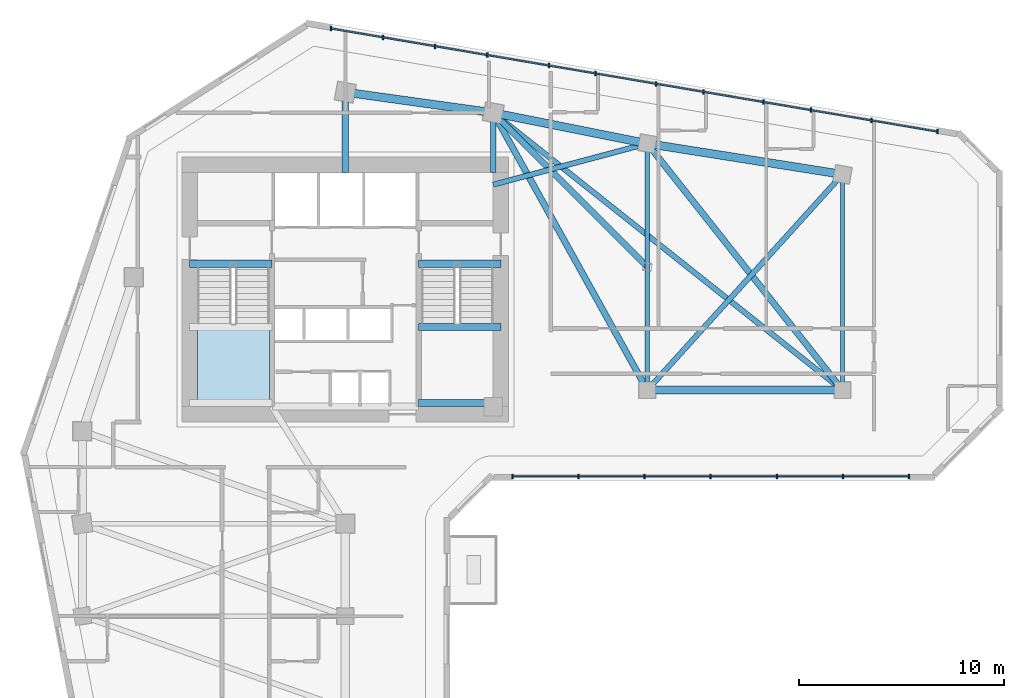
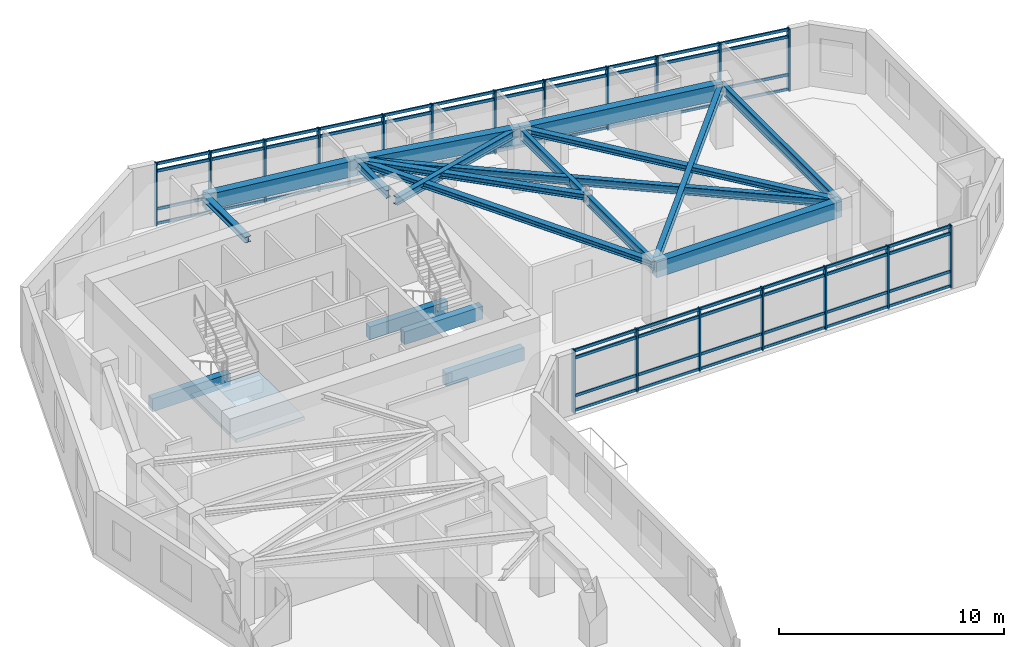
# One storey, part 2 of 10: 27 members, 18 beams, 1 slab, 3 elements without a shape of their own.
"""IFC4 building model written with IfcOpenShell, lengths in metres."""

from ifc_helpers import new_model, si_unit, direction, frame, origin, origin_2d, place, context, subcontext, project, spatial, polyline, rectangle, i_section, outline, extrude, source, transform, mapped, material, layer, layer_set, material_profile, profile_set, type_object, element, aggregate, save


model = new_model("IFC4")

# Units and contexts
model_context = context("Model", 3, precision=1e-05, world=origin(), true_north=direction((0.0, 1.0)))
body_context = subcontext(model_context, "Body", "Model", "MODEL_VIEW")
ifc_project = project(units=[si_unit("LENGTHUNIT", "METRE"), si_unit("AREAUNIT", "SQUARE_METRE"), si_unit("VOLUMEUNIT", "CUBIC_METRE"), si_unit("PLANEANGLEUNIT", "RADIAN"), si_unit("MASSUNIT", "GRAM", prefix="KILO")], contexts=[model_context])

# Site, building, storey
site_placement = place(None, origin())
site = spatial("IfcSite", under=ifc_project, at=site_placement, CompositionType="ELEMENT")
building_placement = place(site_placement, origin())
building = spatial("IfcBuilding", under=site, at=building_placement, Name="Calvemar Wedge Station Tower", CompositionType="ELEMENT")
storey_placement = place(building_placement, frame((0.0, 0.0, 110.60009765625)))
storey = spatial("IfcBuildingStorey", under=building, at=storey_placement, Name="L26", CompositionType="ELEMENT", Elevation=110.60009765625)

# Beams
ifc_material_1 = material(Name="Concrete C60", Category="concrete")
ifc_material_profile_1 = material_profile(ifc_material_1, rectangle(XDim=0.39990234375, YDim=0.85009765625, at=origin_2d()), Name="RC400x850")
ifc_profile_set_1 = profile_set([ifc_material_profile_1], Name="Concrete C60")
beam_type_1 = type_object("IfcBeamType", Name="BM-SP1-850", PredefinedType="SPANDREL", material=ifc_profile_set_1)
shared_shape_1 = source(origin(), body_context, "Body", "SweptSolid", [
    extrude(rectangle(XDim=0.39990234375, YDim=0.85009765625, at=origin_2d()), origin(), (0.0, 0.0, 1.0), 7.26904296875),
])
beam_1_placement = place(storey_placement, frame((23.800048828125, 49.5, 2.9248046875), z_axis=(0.990492146053, -0.13756928657, 0.0), x_axis=(0.13756928657, 0.990492146053, 0.0)))
element("IfcBeam", 1, at=beam_1_placement, inside=storey, type_object=beam_type_1, Name="Storey L26 Spandrel T-N1-T-N2", PredefinedType="SPANDREL", context=body_context, shape_type="MappedRepresentation", body=[
    mapped(shared_shape_1, transform((0.0, 0.0, 0.0), scale=1.0)),
])
shared_shape_2 = source(origin(), body_context, "Body", "SweptSolid", [
    extrude(rectangle(XDim=0.39990234375, YDim=0.85009765625, at=origin_2d()), origin(), (0.0, 0.0, 1.0), 7.6484375),
])
beam_2_placement = place(storey_placement, frame((31.0, 48.5, 2.9248046875), z_axis=(0.980580675691, -0.196116135138, 0.0), x_axis=(0.196116135138, 0.980580675691, 0.0)))
element("IfcBeam", 2, at=beam_2_placement, inside=storey, type_object=beam_type_1, Name="Storey L26 Spandrel T-N2-T-NU3", PredefinedType="SPANDREL", context=body_context, shape_type="MappedRepresentation", body=[
    mapped(shared_shape_2, transform((0.0, 0.0, 0.0), scale=1.0)),
])
shared_shape_3 = source(origin(), body_context, "Body", "SweptSolid", [
    extrude(rectangle(XDim=0.39990234375, YDim=0.85009765625, at=origin_2d()), origin(), (0.0, 0.0, 1.0), 9.61767578125),
])
beam_3_placement = place(storey_placement, frame((38.5, 47.0, 2.9248046875), z_axis=(0.987762965329, -0.155962573473, 0.0), x_axis=(0.155962573473, 0.987762965329, 0.0)))
element("IfcBeam", 3, at=beam_3_placement, inside=storey, type_object=beam_type_1, Name="Storey L26 Spandrel T-NU3-T-NU4", PredefinedType="SPANDREL", context=body_context, shape_type="MappedRepresentation", body=[
    mapped(shared_shape_3, transform((0.0, 0.0, 0.0), scale=1.0)),
])
shared_shape_4 = source(origin(), body_context, "Body", "SweptSolid", [
    extrude(rectangle(XDim=0.39990234375, YDim=0.85009765625, at=origin_2d()), origin(), (0.0, 0.0, 1.0), 9.5),
])
beam_4_placement = place(storey_placement, frame((38.5, 35.0, 2.9248046875), z_axis=(1.0, 0.0, 0.0), x_axis=(0.0, 1.0, 0.0)))
element("IfcBeam", 4, at=beam_4_placement, inside=storey, type_object=beam_type_1, Name="Storey L26 Spandrel T-NL2-T-NL3", PredefinedType="SPANDREL", context=body_context, shape_type="MappedRepresentation", body=[
    mapped(shared_shape_4, transform((0.0, 0.0, 0.0), scale=1.0)),
])
ifc_material_2 = material(Name="Structural steel ASTM A572 Grade 50", Category="steel")
ifc_material_profile_2 = material_profile(ifc_material_2, i_section(OverallWidth=0.304931640625, OverallDepth=0.30810546875, WebThickness=0.010009765625, FlangeThickness=0.015380859375, FilletRadius=0.014892578125, at=origin_2d()), Name="W310x97")
ifc_profile_set_2 = profile_set([ifc_material_profile_2], Name="Structural steel ASTM A572 Grade 50")
beam_type_2 = type_object("IfcBeamType", Name="BM-J6-W310", PredefinedType="JOIST", material=ifc_profile_set_2)
shared_shape_5 = source(origin(), body_context, "Body", "SweptSolid", [
    extrude(i_section(OverallWidth=0.304931640625, OverallDepth=0.30810546875, WebThickness=0.010009765625, FlangeThickness=0.015380859375, FilletRadius=0.014892578125, at=origin_2d()), origin(), (0.0, 0.0, 1.0), 15.443359375),
])
beam_5_placement = place(storey_placement, frame((31.0, 48.5, 3.19580078125), z_axis=(0.485642931179, -0.874157276122, 0.0), x_axis=(0.874157276122, 0.485642931179, 0.0)))
element("IfcBeam", 5, at=beam_5_placement, inside=storey, type_object=beam_type_2, Name="Storey L26 Floor Beam T-N2-T-NL2", PredefinedType="JOIST", context=body_context, shape_type="MappedRepresentation", body=[
    mapped(shared_shape_5, transform((0.0, 0.0, 0.0), scale=1.0)),
])
ifc_material_profile_3 = material_profile(ifc_material_2, i_section(OverallWidth=0.260986328125, OverallDepth=0.419921875, WebThickness=0.01171875, FlangeThickness=0.019287109375, FilletRadius=0.012939453125, at=origin_2d()), Name="W410x114")
ifc_profile_set_3 = profile_set([ifc_material_profile_3], Name="Structural steel ASTM A572 Grade 50")
beam_type_3 = type_object("IfcBeamType", Name="BM-J2-W410H", PredefinedType="JOIST", material=ifc_profile_set_3)
shared_shape_6 = source(origin(), body_context, "Body", "SweptSolid", [
    extrude(i_section(OverallWidth=0.260986328125, OverallDepth=0.419921875, WebThickness=0.01171875, FlangeThickness=0.019287109375, FilletRadius=0.012939453125, at=origin_2d()), origin(), (0.0, 0.0, 1.0), 21.708251953125),
])
beam_6_placement = place(storey_placement, frame((31.0, 48.5, 3.139892578125), z_axis=(0.783110847498, -0.621882143602, 0.0), x_axis=(0.621882143602, 0.783110847498, 0.0)))
element("IfcBeam", 6, at=beam_6_placement, inside=storey, type_object=beam_type_3, Name="Storey L26 Floor Beam T-N2-T-NL3", PredefinedType="JOIST", context=body_context, shape_type="MappedRepresentation", body=[
    mapped(shared_shape_6, transform((0.0, 0.0, 0.0), scale=1.0)),
])
shared_shape_7 = source(origin(), body_context, "Body", "SweptSolid", [
    extrude(i_section(OverallWidth=0.304931640625, OverallDepth=0.30810546875, WebThickness=0.010009765625, FlangeThickness=0.015380859375, FilletRadius=0.014892578125, at=origin_2d()), origin(), (0.0, 0.0, 1.0), 15.30517578125),
])
beam_7_placement = place(storey_placement, frame((38.5, 47.0, 3.19580078125), z_axis=(0.620702944366, -0.784045824462, 0.0), x_axis=(0.784045824462, 0.620702944366, 0.0)))
element("IfcBeam", 7, at=beam_7_placement, inside=storey, type_object=beam_type_2, Name="Storey L26 Floor Beam T-NU3-T-NL3", PredefinedType="JOIST", context=body_context, shape_type="MappedRepresentation", body=[
    mapped(shared_shape_7, transform((0.0, 0.0, 0.0), scale=1.0)),
])
shared_shape_8 = source(origin(), body_context, "Body", "SweptSolid", [
    extrude(i_section(OverallWidth=0.260986328125, OverallDepth=0.419921875, WebThickness=0.01171875, FlangeThickness=0.019287109375, FilletRadius=0.012939453125, at=origin_2d()), origin(), (0.0, 0.0, 1.0), 14.159912109375),
])
beam_8_placement = place(storey_placement, frame((38.5, 35.0, 3.139892578125), z_axis=(0.670913323969, 0.741535779124, 0.0), x_axis=(-0.741535779124, 0.670913323969, 0.0)))
element("IfcBeam", 8, at=beam_8_placement, inside=storey, type_object=beam_type_3, Name="Storey L26 Floor Beam T-NL2-T-NU4", PredefinedType="JOIST", context=body_context, shape_type="MappedRepresentation", body=[
    mapped(shared_shape_8, transform((0.0, 0.0, 0.0), scale=1.0)),
])
shared_shape_9 = source(origin(), body_context, "Body", "SweptSolid", [
    extrude(i_section(OverallWidth=0.260986328125, OverallDepth=0.419921875, WebThickness=0.01171875, FlangeThickness=0.019287109375, FilletRadius=0.012939453125, at=origin_2d()), origin(), (0.0, 0.0, 1.0), 7.76220703125),
])
beam_9_placement = place(storey_placement, frame((31.0, 45.0, 3.139892578125), z_axis=(0.966234939601, 0.25766265056, 0.0), x_axis=(-0.25766265056, 0.966234939601, 0.0)))
element("IfcBeam", 9, at=beam_9_placement, inside=storey, type_object=beam_type_3, Name="Storey L26 Core-to-Column Joist CJ-E2", PredefinedType="JOIST", context=body_context, shape_type="MappedRepresentation", body=[
    mapped(shared_shape_9, transform((0.0, 0.0, 0.0), scale=1.0)),
])
shared_shape_10 = source(origin(), body_context, "Body", "SweptSolid", [
    extrude(i_section(OverallWidth=0.304931640625, OverallDepth=0.30810546875, WebThickness=0.010009765625, FlangeThickness=0.015380859375, FilletRadius=0.014892578125, at=origin_2d()), origin(), (0.0, 0.0, 1.0), 3.89990234375),
])
beam_10_placement = place(storey_placement, frame((23.800048828125, 45.60009765625, 3.19580078125), z_axis=(0.0, 1.0, 0.0), x_axis=(-1.0, 0.0, 0.0)))
element("IfcBeam", 10, at=beam_10_placement, inside=storey, type_object=beam_type_2, Name="Storey L26 Core-to-Column Joist CJ-N1", PredefinedType="JOIST", context=body_context, shape_type="MappedRepresentation", body=[
    mapped(shared_shape_10, transform((0.0, 0.0, 0.0), scale=1.0)),
])
shared_shape_11 = source(origin(), body_context, "Body", "SweptSolid", [
    extrude(i_section(OverallWidth=0.260986328125, OverallDepth=0.419921875, WebThickness=0.01171875, FlangeThickness=0.019287109375, FilletRadius=0.012939453125, at=origin_2d()), origin(), (0.0, 0.0, 1.0), 2.89990234375),
])
beam_11_placement = place(storey_placement, frame((31.0, 45.60009765625, 3.139892578125), z_axis=(0.0, 1.0, 0.0), x_axis=(-1.0, 0.0, 0.0)))
element("IfcBeam", 11, at=beam_11_placement, inside=storey, type_object=beam_type_3, Name="Storey L26 Core-to-Column Joist CJ-N2", PredefinedType="JOIST", context=body_context, shape_type="MappedRepresentation", body=[
    mapped(shared_shape_11, transform((0.0, 0.0, 0.0), scale=1.0)),
])
ifc_material_3 = material(Name="Concrete C70", Category="concrete")
ifc_material_profile_4 = material_profile(ifc_material_3, rectangle(XDim=0.35009765625, YDim=0.699951171875, at=origin_2d()), Name="RC350x700")
ifc_profile_set_4 = profile_set([ifc_material_profile_4], Name="Concrete C70")
beam_type_4 = type_object("IfcBeamType", Name="BM-LN1-700", PredefinedType="LINTEL", material=ifc_profile_set_4)
shared_shape_12 = source(origin(), body_context, "Body", "SweptSolid", [
    extrude(rectangle(XDim=0.35009765625, YDim=0.699951171875, at=origin_2d()), origin(), (0.0, 0.0, 1.0), 4.0048828125),
])
for number, where, z_axis, x_axis, name in (
    (12, (16.22509765625, 41.14990234375, -0.35009765625), (1.0, 0.0, 0.0), (0.0, 1.0, 0.0), "Storey L26 Stair ST-C1 Landing Trimmer Beam"),
    (13, (27.3701171875, 41.14990234375, -0.35009765625), (1.0, 0.0, 0.0), (0.0, 1.0, 0.0), "Storey L26 Stair ST-C2 Landing Trimmer Beam"),
    (14, (27.3701171875, 34.3798828125, 1.25), (1.0, 0.0, 0.0), (0.0, 1.0, 0.0), "Storey L26 Stair ST-C2 Half-Landing Beam 1A"),
    (15, (27.3701171875, 38.070068359375, 1.25), (1.0, 0.0, 0.0), (0.0, 1.0, 0.0), "Storey L26 Stair ST-C2 Half-Landing Beam 1B"),
):
    element("IfcBeam", number, at=place(storey_placement, frame(where, z_axis=z_axis, x_axis=x_axis)), inside=storey, type_object=beam_type_4, Name=name, PredefinedType="LINTEL", context=body_context, shape_type="MappedRepresentation", body=[
        mapped(shared_shape_12, transform((0.0, 0.0, 0.0), scale=1.0)),
    ])
ifc_material_profile_5 = material_profile(ifc_material_2, i_section(OverallWidth=0.2109375, OverallDepth=0.5390625, WebThickness=0.01171875, FlangeThickness=0.018798828125, FilletRadius=0.012939453125, at=origin_2d()), Name="W530x109")
ifc_profile_set_5 = profile_set([ifc_material_profile_5], Name="Structural steel ASTM A572 Grade 50")
beam_type_5 = type_object("IfcBeamType", Name="BM-SB4-W530", PredefinedType="BEAM", material=ifc_profile_set_5)
shared_shape_13 = source(origin(), body_context, "Body", "SweptSolid", [
    extrude(i_section(OverallWidth=0.2109375, OverallDepth=0.5390625, WebThickness=0.01171875, FlangeThickness=0.018798828125, FilletRadius=0.012939453125, at=origin_2d()), origin(), (0.0, 0.0, 1.0), 12.0),
])
beam_12_placement = place(storey_placement, frame((38.5, 47.0, 3.080322265625), z_axis=(0.0, -1.0, 0.0), x_axis=(1.0, 0.0, 0.0)))
element("IfcBeam", 16, at=beam_12_placement, inside=storey, type_object=beam_type_5, Name="Storey L26 Floor Beam T-NU3-T-NL2", PredefinedType="BEAM", context=body_context, shape_type="MappedRepresentation", body=[
    mapped(shared_shape_13, transform((0.0, 0.0, 0.0), scale=1.0)),
])
shared_shape_14 = source(origin(), body_context, "Body", "SweptSolid", [
    extrude(i_section(OverallWidth=0.2109375, OverallDepth=0.5390625, WebThickness=0.01171875, FlangeThickness=0.018798828125, FilletRadius=0.012939453125, at=origin_2d()), origin(), (0.0, 0.0, 1.0), 10.5),
])
beam_13_placement = place(storey_placement, frame((48.0, 45.5, 3.080322265625), z_axis=(0.0, -1.0, 0.0), x_axis=(1.0, 0.0, 0.0)))
element("IfcBeam", 17, at=beam_13_placement, inside=storey, type_object=beam_type_5, Name="Storey L26 Floor Beam T-NU4-T-NL3", PredefinedType="BEAM", context=body_context, shape_type="MappedRepresentation", body=[
    mapped(shared_shape_14, transform((0.0, 0.0, 0.0), scale=1.0)),
])
shared_shape_15 = source(origin(), body_context, "Body", "SweptSolid", [
    extrude(i_section(OverallWidth=0.304931640625, OverallDepth=0.30810546875, WebThickness=0.010009765625, FlangeThickness=0.015380859375, FilletRadius=0.014892578125, at=origin_2d()), origin(), (0.0, 0.0, 1.0), 10.606689453125),
])
beam_14_placement = place(storey_placement, frame((38.5, 41.0, 3.19580078125), z_axis=(-0.707106781187, 0.707106781187, 0.0), x_axis=(-0.707106781187, -0.707106781187, 0.0)))
element("IfcBeam", 18, at=beam_14_placement, inside=storey, type_object=beam_type_2, Name="Storey L26 Floor Beam T-NTIP-B-T-N2", PredefinedType="JOIST", context=body_context, shape_type="MappedRepresentation", body=[
    mapped(shared_shape_15, transform((0.0, 0.0, 0.0), scale=1.0)),
])

# Curtain wall, members
ifc_material_4 = material(Name="Anodised aluminium 6063-T6", Category="aluminium")
curtain_wall_type = type_object("IfcCurtainWallType", Name="CW2", PredefinedType="NOTDEFINED", material=ifc_material_4)
curtain_wall_1_placement = place(storey_placement, origin())
curtain_wall_1 = element("IfcCurtainWall", 19, at=curtain_wall_1_placement, inside=storey, type_object=curtain_wall_type, Name="Storey L26 CW2 Recessed Unitised Curtain Wall 6", PredefinedType="NOTDEFINED")
ifc_material_profile_6 = material_profile(ifc_material_4, rectangle(XDim=0.074951171875, YDim=0.219970703125, at=origin_2d()), Name="AL-MUL-75x220")
ifc_profile_set_6 = profile_set([ifc_material_profile_6], Name="Anodised aluminium 6063-T6")
member_type_1 = type_object("IfcMemberType", Name="CW2-MUL", PredefinedType="MULLION", material=ifc_profile_set_6)
shared_shape_16 = source(origin(), body_context, "Body", "SweptSolid", [
    extrude(rectangle(XDim=0.074951171875, YDim=0.219970703125, at=origin_2d()), origin(), (0.0, 0.0, 1.0), 3.39990234375),
])
member_1_placement = place(storey_placement, frame((31.933837890625, 30.802001953125, -0.050048828125), z_axis=(0.0, 0.0, 1.0), x_axis=(1.0, 0.0, 0.0)))
member_1 = element("IfcMember", 20, at=member_1_placement, type_object=member_type_1, Name="CW2 mullion 1", PredefinedType="MULLION", context=body_context, shape_type="MappedRepresentation", body=[
    mapped(shared_shape_16, transform((0.0, 0.0, 0.0), scale=1.0)),
])
member_2_placement = place(storey_placement, frame((35.151123046875, 30.802001953125, -0.050048828125), z_axis=(0.0, 0.0, 1.0), x_axis=(1.0, 0.0, 0.0)))
member_2 = element("IfcMember", 21, at=member_2_placement, type_object=member_type_1, Name="CW2 mullion 2", PredefinedType="MULLION", context=body_context, shape_type="MappedRepresentation", body=[
    mapped(shared_shape_16, transform((0.0, 0.0, 0.0), scale=1.0)),
])
member_3_placement = place(storey_placement, frame((38.36865234375, 30.802001953125, -0.050048828125), z_axis=(0.0, 0.0, 1.0), x_axis=(1.0, 0.0, 0.0)))
member_3 = element("IfcMember", 22, at=member_3_placement, type_object=member_type_1, Name="CW2 mullion 3", PredefinedType="MULLION", context=body_context, shape_type="MappedRepresentation", body=[
    mapped(shared_shape_16, transform((0.0, 0.0, 0.0), scale=1.0)),
])
member_4_placement = place(storey_placement, frame((41.5859375, 30.802001953125, -0.050048828125), z_axis=(0.0, 0.0, 1.0), x_axis=(1.0, 0.0, 0.0)))
member_4 = element("IfcMember", 23, at=member_4_placement, type_object=member_type_1, Name="CW2 mullion 4", PredefinedType="MULLION", context=body_context, shape_type="MappedRepresentation", body=[
    mapped(shared_shape_16, transform((0.0, 0.0, 0.0), scale=1.0)),
])
member_5_placement = place(storey_placement, frame((44.80322265625, 30.802001953125, -0.050048828125), z_axis=(0.0, 0.0, 1.0), x_axis=(1.0, 0.0, 0.0)))
member_5 = element("IfcMember", 24, at=member_5_placement, type_object=member_type_1, Name="CW2 mullion 5", PredefinedType="MULLION", context=body_context, shape_type="MappedRepresentation", body=[
    mapped(shared_shape_16, transform((0.0, 0.0, 0.0), scale=1.0)),
])
member_6_placement = place(storey_placement, frame((48.0205078125, 30.802001953125, -0.050048828125), z_axis=(0.0, 0.0, 1.0), x_axis=(1.0, 0.0, 0.0)))
member_6 = element("IfcMember", 25, at=member_6_placement, type_object=member_type_1, Name="CW2 mullion 6", PredefinedType="MULLION", context=body_context, shape_type="MappedRepresentation", body=[
    mapped(shared_shape_16, transform((0.0, 0.0, 0.0), scale=1.0)),
])
member_7_placement = place(storey_placement, frame((51.23779296875, 30.802001953125, -0.050048828125), z_axis=(0.0, 0.0, 1.0), x_axis=(1.0, 0.0, 0.0)))
member_7 = element("IfcMember", 26, at=member_7_placement, type_object=member_type_1, Name="CW2 mullion 7", PredefinedType="MULLION", context=body_context, shape_type="MappedRepresentation", body=[
    mapped(shared_shape_16, transform((0.0, 0.0, 0.0), scale=1.0)),
])

curtain_wall_2_placement = place(storey_placement, origin())
curtain_wall_2 = element("IfcCurtainWall", 27, at=curtain_wall_2_placement, inside=storey, type_object=curtain_wall_type, Name="Storey L26 CW2 Recessed Unitised Curtain Wall 10", PredefinedType="NOTDEFINED")
member_8_placement = place(storey_placement, frame((52.63330078125, 47.577392578125, -0.050048828125), z_axis=(0.0, 0.0, 1.0), x_axis=(1.0, 0.0, 0.0)))
member_8 = element("IfcMember", 28, at=member_8_placement, type_object=member_type_1, Name="CW2 mullion 1", PredefinedType="MULLION", context=body_context, shape_type="MappedRepresentation", body=[
    mapped(shared_shape_16, transform((0.0, 0.0, 0.0), scale=1.0)),
])
member_9_placement = place(storey_placement, frame((49.40625, 48.126220703125, -0.050048828125), z_axis=(0.0, 0.0, 1.0), x_axis=(1.0, 0.0, 0.0)))
member_9 = element("IfcMember", 29, at=member_9_placement, type_object=member_type_1, Name="CW2 mullion 2", PredefinedType="MULLION", context=body_context, shape_type="MappedRepresentation", body=[
    mapped(shared_shape_16, transform((0.0, 0.0, 0.0), scale=1.0)),
])
member_10_placement = place(storey_placement, frame((46.46923828125, 48.625732421875, -0.050048828125), z_axis=(0.0, 0.0, 1.0), x_axis=(1.0, 0.0, 0.0)))
member_10 = element("IfcMember", 30, at=member_10_placement, type_object=member_type_1, Name="CW2 mullion 3", PredefinedType="MULLION", context=body_context, shape_type="MappedRepresentation", body=[
    mapped(shared_shape_16, transform((0.0, 0.0, 0.0), scale=1.0)),
])
member_11_placement = place(storey_placement, frame((44.1611328125, 49.018310546875, -0.050048828125), z_axis=(0.0, 0.0, 1.0), x_axis=(1.0, 0.0, 0.0)))
member_11 = element("IfcMember", 31, at=member_11_placement, type_object=member_type_1, Name="CW2 mullion 4", PredefinedType="MULLION", context=body_context, shape_type="MappedRepresentation", body=[
    mapped(shared_shape_16, transform((0.0, 0.0, 0.0), scale=1.0)),
])
member_12_placement = place(storey_placement, frame((41.22412109375, 49.517578125, -0.050048828125), z_axis=(0.0, 0.0, 1.0), x_axis=(1.0, 0.0, 0.0)))
member_12 = element("IfcMember", 32, at=member_12_placement, type_object=member_type_1, Name="CW2 mullion 5", PredefinedType="MULLION", context=body_context, shape_type="MappedRepresentation", body=[
    mapped(shared_shape_16, transform((0.0, 0.0, 0.0), scale=1.0)),
])
member_13_placement = place(storey_placement, frame((38.916259765625, 49.91015625, -0.050048828125), z_axis=(0.0, 0.0, 1.0), x_axis=(1.0, 0.0, 0.0)))
member_13 = element("IfcMember", 33, at=member_13_placement, type_object=member_type_1, Name="CW2 mullion 6", PredefinedType="MULLION", context=body_context, shape_type="MappedRepresentation", body=[
    mapped(shared_shape_16, transform((0.0, 0.0, 0.0), scale=1.0)),
])
member_14_placement = place(storey_placement, frame((35.979248046875, 50.40966796875, -0.050048828125), z_axis=(0.0, 0.0, 1.0), x_axis=(1.0, 0.0, 0.0)))
member_14 = element("IfcMember", 34, at=member_14_placement, type_object=member_type_1, Name="CW2 mullion 7", PredefinedType="MULLION", context=body_context, shape_type="MappedRepresentation", body=[
    mapped(shared_shape_16, transform((0.0, 0.0, 0.0), scale=1.0)),
])
member_15_placement = place(storey_placement, frame((33.7080078125, 50.7958984375, -0.050048828125), z_axis=(0.0, 0.0, 1.0), x_axis=(1.0, 0.0, 0.0)))
member_15 = element("IfcMember", 35, at=member_15_placement, type_object=member_type_1, Name="CW2 mullion 8", PredefinedType="MULLION", context=body_context, shape_type="MappedRepresentation", body=[
    mapped(shared_shape_16, transform((0.0, 0.0, 0.0), scale=1.0)),
])
member_16_placement = place(storey_placement, frame((30.7080078125, 51.30615234375, -0.050048828125), z_axis=(0.0, 0.0, 1.0), x_axis=(1.0, 0.0, 0.0)))
member_16 = element("IfcMember", 36, at=member_16_placement, type_object=member_type_1, Name="CW2 mullion 9", PredefinedType="MULLION", context=body_context, shape_type="MappedRepresentation", body=[
    mapped(shared_shape_16, transform((0.0, 0.0, 0.0), scale=1.0)),
])
member_17_placement = place(storey_placement, frame((28.17431640625, 51.737060546875, -0.050048828125), z_axis=(0.0, 0.0, 1.0), x_axis=(1.0, 0.0, 0.0)))
member_17 = element("IfcMember", 37, at=member_17_placement, type_object=member_type_1, Name="CW2 mullion 10", PredefinedType="MULLION", context=body_context, shape_type="MappedRepresentation", body=[
    mapped(shared_shape_16, transform((0.0, 0.0, 0.0), scale=1.0)),
])
member_18_placement = place(storey_placement, frame((25.64013671875, 52.16796875, -0.050048828125), z_axis=(0.0, 0.0, 1.0), x_axis=(1.0, 0.0, 0.0)))
member_18 = element("IfcMember", 38, at=member_18_placement, type_object=member_type_1, Name="CW2 mullion 11", PredefinedType="MULLION", context=body_context, shape_type="MappedRepresentation", body=[
    mapped(shared_shape_16, transform((0.0, 0.0, 0.0), scale=1.0)),
])
member_19_placement = place(storey_placement, frame((23.106201171875, 52.598876953125, -0.050048828125), z_axis=(0.0, 0.0, 1.0), x_axis=(1.0, 0.0, 0.0)))
member_19 = element("IfcMember", 39, at=member_19_placement, type_object=member_type_1, Name="CW2 mullion 12", PredefinedType="MULLION", context=body_context, shape_type="MappedRepresentation", body=[
    mapped(shared_shape_16, transform((0.0, 0.0, 0.0), scale=1.0)),
])

# Member
ifc_material_profile_7 = material_profile(ifc_material_4, rectangle(XDim=0.074951171875, YDim=0.14990234375, at=origin_2d()), Name="AL-TRN-75x150")
ifc_profile_set_7 = profile_set([ifc_material_profile_7], Name="Anodised aluminium 6063-T6")
member_type_2 = type_object("IfcMemberType", Name="CW2-TRN", PredefinedType="USERDEFINED", material=ifc_profile_set_7)
shared_shape_17 = source(origin(), body_context, "Body", "SweptSolid", [
    extrude(rectangle(XDim=0.074951171875, YDim=0.14990234375, at=origin_2d()), origin(), (0.0, 0.0, 1.0), 19.303955078125),
])
member_20_placement = place(storey_placement, frame((31.933837890625, 30.802001953125, 0.059814453125), z_axis=(1.0, 0.0, 0.0), x_axis=(0.0, 1.0, 0.0)))
member_20 = element("IfcMember", 40, at=member_20_placement, type_object=member_type_2, Name="CW2 transom 1", ObjectType="TRANSOM", PredefinedType="USERDEFINED", context=body_context, shape_type="MappedRepresentation", body=[
    mapped(shared_shape_17, transform((0.0, 0.0, 0.0), scale=1.0)),
])

member_21_placement = place(storey_placement, frame((31.933837890625, 30.802001953125, 0.849853515625), z_axis=(1.0, 0.0, 0.0), x_axis=(0.0, 1.0, 0.0)))
member_21 = element("IfcMember", 41, at=member_21_placement, type_object=member_type_2, Name="CW2 transom 2", ObjectType="TRANSOM", PredefinedType="USERDEFINED", context=body_context, shape_type="MappedRepresentation", body=[
    mapped(shared_shape_17, transform((0.0, 0.0, 0.0), scale=1.0)),
])

member_22_placement = place(storey_placement, frame((31.933837890625, 30.802001953125, 2.89990234375), z_axis=(1.0, 0.0, 0.0), x_axis=(0.0, 1.0, 0.0)))
member_22 = element("IfcMember", 42, at=member_22_placement, type_object=member_type_2, Name="CW2 transom 3", ObjectType="TRANSOM", PredefinedType="USERDEFINED", context=body_context, shape_type="MappedRepresentation", body=[
    mapped(shared_shape_17, transform((0.0, 0.0, 0.0), scale=1.0)),
])

member_23_placement = place(storey_placement, frame((31.933837890625, 30.802001953125, 3.289794921875), z_axis=(1.0, 0.0, 0.0), x_axis=(0.0, 1.0, 0.0)))
member_23 = element("IfcMember", 43, at=member_23_placement, type_object=member_type_2, Name="CW2 transom 4", ObjectType="TRANSOM", PredefinedType="USERDEFINED", context=body_context, shape_type="MappedRepresentation", body=[
    mapped(shared_shape_17, transform((0.0, 0.0, 0.0), scale=1.0)),
])

aggregate(curtain_wall_1, [member_1, member_2, member_3, member_4, member_5, member_6, member_7, member_20, member_21, member_22, member_23])

shared_shape_18 = source(origin(), body_context, "Body", "SweptSolid", [
    extrude(rectangle(XDim=0.074951171875, YDim=0.14990234375, at=origin_2d()), origin(), (0.0, 0.0, 1.0), 29.950927734375),
])
member_24_placement = place(storey_placement, frame((52.63330078125, 47.577392578125, 0.059814453125), z_axis=(-0.985845487877, 0.167656416615, 0.0), x_axis=(-0.167656416615, -0.985845487877, 0.0)))
member_24 = element("IfcMember", 44, at=member_24_placement, type_object=member_type_2, Name="CW2 transom 1", ObjectType="TRANSOM", PredefinedType="USERDEFINED", context=body_context, shape_type="MappedRepresentation", body=[
    mapped(shared_shape_18, transform((0.0, 0.0, 0.0), scale=1.0)),
])

member_25_placement = place(storey_placement, frame((52.63330078125, 47.577392578125, 0.849853515625), z_axis=(-0.985845487877, 0.167656416615, 0.0), x_axis=(-0.167656416615, -0.985845487877, 0.0)))
member_25 = element("IfcMember", 45, at=member_25_placement, type_object=member_type_2, Name="CW2 transom 2", ObjectType="TRANSOM", PredefinedType="USERDEFINED", context=body_context, shape_type="MappedRepresentation", body=[
    mapped(shared_shape_18, transform((0.0, 0.0, 0.0), scale=1.0)),
])

member_26_placement = place(storey_placement, frame((52.63330078125, 47.577392578125, 2.89990234375), z_axis=(-0.985845487877, 0.167656416615, 0.0), x_axis=(-0.167656416615, -0.985845487877, 0.0)))
member_26 = element("IfcMember", 46, at=member_26_placement, type_object=member_type_2, Name="CW2 transom 3", ObjectType="TRANSOM", PredefinedType="USERDEFINED", context=body_context, shape_type="MappedRepresentation", body=[
    mapped(shared_shape_18, transform((0.0, 0.0, 0.0), scale=1.0)),
])

member_27_placement = place(storey_placement, frame((52.63330078125, 47.577392578125, 3.289794921875), z_axis=(-0.985845487877, 0.167656416615, 0.0), x_axis=(-0.167656416615, -0.985845487877, 0.0)))
member_27 = element("IfcMember", 47, at=member_27_placement, type_object=member_type_2, Name="CW2 transom 4", ObjectType="TRANSOM", PredefinedType="USERDEFINED", context=body_context, shape_type="MappedRepresentation", body=[
    mapped(shared_shape_18, transform((0.0, 0.0, 0.0), scale=1.0)),
])

aggregate(curtain_wall_2, [member_8, member_9, member_10, member_11, member_12, member_13, member_14, member_15, member_16, member_17, member_18, member_19, member_24, member_25, member_26, member_27])

# Stair, slab
ifc_material_5 = material(Name="Concrete C45", Category="concrete")
stair_type = type_object("IfcStairType", Name="ST-TYPE-3600", PredefinedType="HALF_TURN_STAIR", material=ifc_material_5)
stair_placement = place(storey_placement, origin())
stair = element("IfcStair", 48, at=stair_placement, inside=storey, type_object=stair_type, Name="L26 Pressurized Core Exit Stair ST-C1", PredefinedType="HALF_TURN_STAIR")
ifc_layer = layer(ifc_material_5, 0.199951171875)
ifc_layer_set = layer_set([ifc_layer], Name="Concrete C45")
slab_type = type_object("IfcSlabType", Name="SL-STAIR-LND-200", PredefinedType="LANDING", material=ifc_layer_set)
slab_placement = place(storey_placement, frame((0.0, 0.0, 1.599853515625)))
slab = element("IfcSlab", 49, at=slab_placement, type_object=slab_type, Name="ST-C1 landing 1", PredefinedType="LANDING", context=body_context, shape_type="SweptSolid", body=[
    extrude(outline(polyline([(16.60009765625, 38.25), (16.60009765625, 34.199951171875), (20.10009765625, 34.199951171875), (20.10009765625, 38.25), (16.60009765625, 38.25)])), origin(), (0.0, 0.0, 1.0), 0.199951171875),
])
aggregate(stair, [slab])

save(model, "model.ifc")
